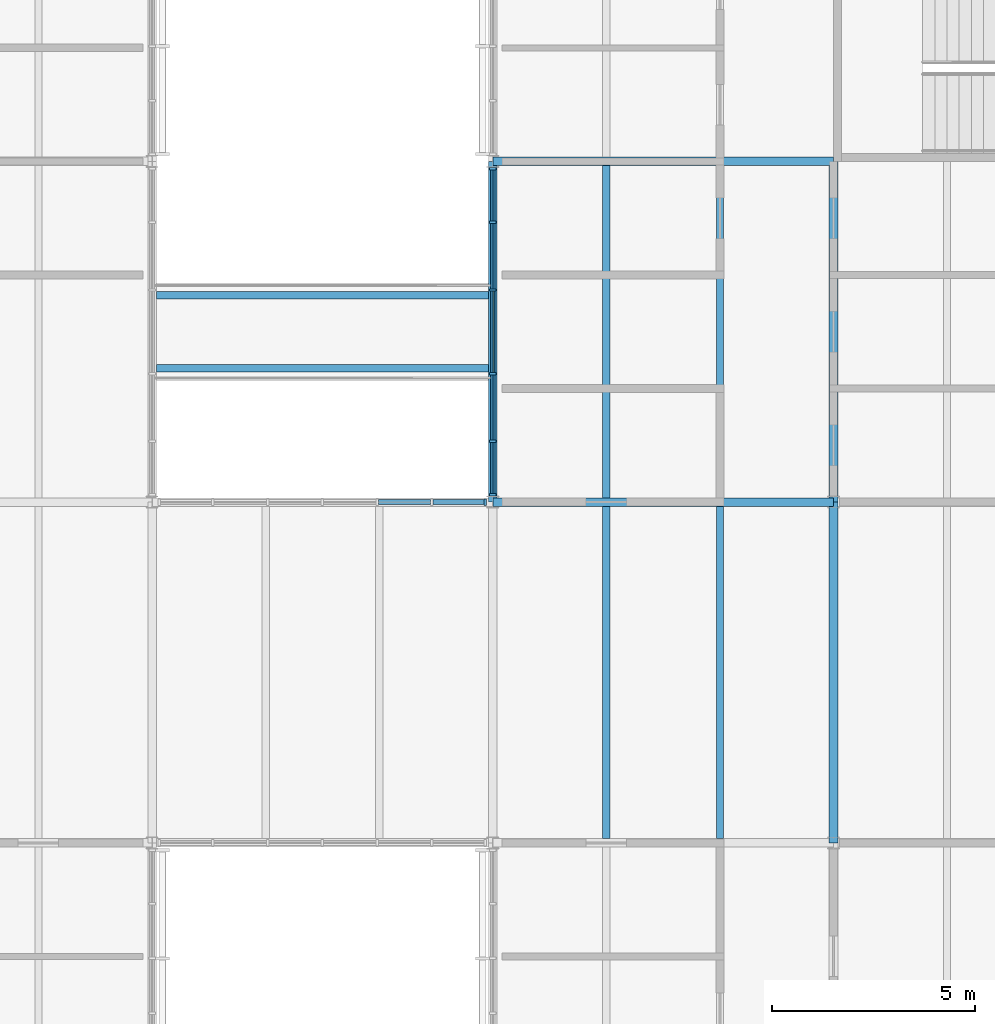
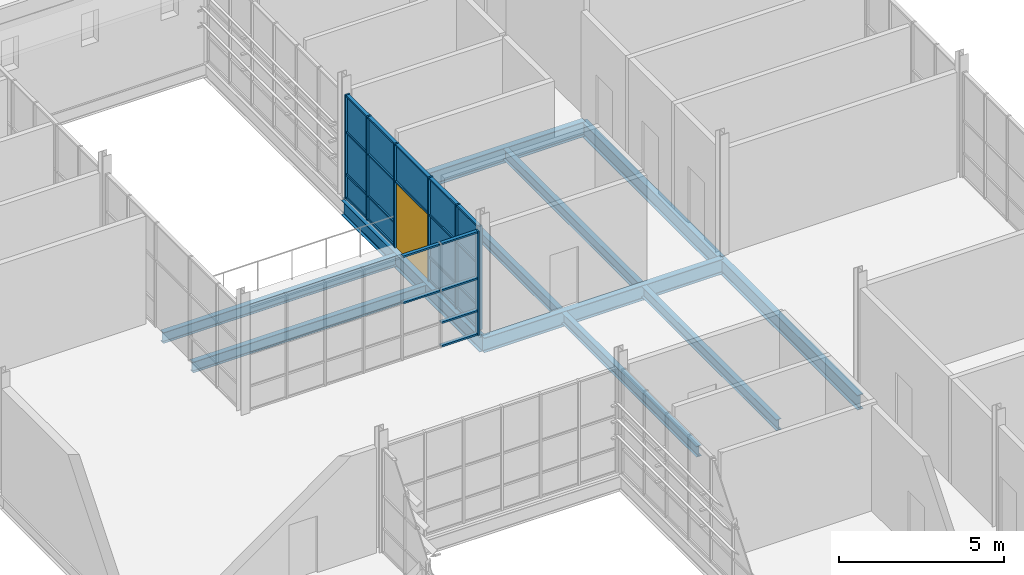
# One storey, part 44 of 129: 31 members, 13 plates, 11 beams, 1 door, 1 opening, 2 elements without a shape of their own.
"""IFC4 building model written with IfcOpenShell, lengths in metres."""

from ifc_helpers import new_model, si_unit, direction, frame, frame_2d, origin, origin_2d, place, context, subcontext, project, spatial, rectangle, i_section, extrude, material, layer, layer_set, material_profile, profile_set, type_object, element, fill, aggregate, save


model = new_model("IFC4")

# Units and contexts
model_context = context("Model", 3, precision=1e-05, world=origin(), true_north=direction((0.0, 1.0)))
body_context = subcontext(model_context, "Body", "Model", "MODEL_VIEW")
ifc_project = project(units=[si_unit("LENGTHUNIT", "METRE"), si_unit("AREAUNIT", "SQUARE_METRE"), si_unit("VOLUMEUNIT", "CUBIC_METRE"), si_unit("PLANEANGLEUNIT", "RADIAN"), si_unit("MASSUNIT", "GRAM", prefix="KILO")], contexts=[model_context])

# Site, building, storey
site_placement = place(None, origin())
site = spatial("IfcSite", under=ifc_project, at=site_placement, CompositionType="ELEMENT")
building_placement = place(site_placement, origin())
building = spatial("IfcBuilding", under=site, at=building_placement, Name="Ardhachandra Cancer Care Centre", CompositionType="ELEMENT")
storey_placement = place(building_placement, frame((0.0, 0.0, 4.5)))
storey = spatial("IfcBuildingStorey", under=building, at=storey_placement, Name="L01", CompositionType="ELEMENT", Elevation=4.5)

# Beams
ifc_material_1 = material(Name="Steel E350 (IS 2062)", Category="steel")
ifc_material_profile_1 = material_profile(ifc_material_1, i_section(OverallWidth=0.179931640625, OverallDepth=0.39990234375, WebThickness=0.008544921875, FlangeThickness=0.013427734375, FilletRadius=0.02099609375, at=origin_2d()), Name="NPB 400x180x66.30")
ifc_profile_set_1 = profile_set([ifc_material_profile_1], Name="Steel E350 (IS 2062)")
beam_type_1 = type_object("IfcBeamType", Name="Beam NPB 400x180x66.30", PredefinedType="BEAM", material=ifc_profile_set_1)
for number, where, z_axis, x_axis, name in (
    (1, (131.199951171875, 54.705078125, -0.35009765625), (0.0, 1.0, 0.0), (-1.0, 0.0, 0.0), "Secondary F15-G15@2800"),
    (2, (131.199951171875, 63.10498046875, -0.35009765625), (0.0, 1.0, 0.0), (-1.0, 0.0, 0.0), "Secondary G15-H15@2800"),
    (3, (134.0, 54.705078125, -0.35009765625), (0.0, 1.0, 0.0), (-1.0, 0.0, 0.0), "Secondary F15-G15@5600"),
    (4, (134.0, 63.10498046875, -0.35009765625), (0.0, 1.0, 0.0), (-1.0, 0.0, 0.0), "Secondary G15-H15@5600"),
):
    element("IfcBeam", number, at=place(storey_placement, frame(where, z_axis=z_axis, x_axis=x_axis)), inside=storey, type_object=beam_type_1, Name=name, PredefinedType="BEAM", context=body_context, shape_type="SweptSolid", body=[
        extrude(i_section(OverallWidth=0.179931640625, OverallDepth=0.39990234375, WebThickness=0.008544921875, FlangeThickness=0.013427734375, FilletRadius=0.02099609375, at=origin_2d()), origin(), (0.0, 0.0, 1.0), 8.18994140625),
    ])
ifc_material_2 = material(Name="Steel E350 (IS 2062)", Category="steel")
ifc_material_profile_2 = material_profile(ifc_material_2, i_section(OverallWidth=0.2099609375, OverallDepth=0.550048828125, WebThickness=0.010986328125, FlangeThickness=0.01708984375, FilletRadius=0.02392578125, at=origin_2d()), Name="NPB 550x210x105.52")
ifc_profile_set_2 = profile_set([ifc_material_profile_2], Name="Steel E350 (IS 2062)")
beam_type_2 = type_object("IfcBeamType", Name="Beam NPB 550x210x105.52", PredefinedType="BEAM", material=ifc_profile_set_2)
for number, where, z_axis, x_axis, name in (
    (5, (128.39990234375, 63.0, -0.425048828125), (1.0, 0.0, 0.0), (0.0, 1.0, 0.0), "Girder G15-G16"),
    (6, (128.39990234375, 71.39990234375, -0.425048828125), (1.0, 0.0, 0.0), (0.0, 1.0, 0.0), "Girder H15-H16"),
):
    element("IfcBeam", number, at=place(storey_placement, frame(where, z_axis=z_axis, x_axis=x_axis)), inside=storey, type_object=beam_type_2, Name=name, PredefinedType="BEAM", context=body_context, shape_type="SweptSolid", body=[
        extrude(i_section(OverallWidth=0.2099609375, OverallDepth=0.550048828125, WebThickness=0.010986328125, FlangeThickness=0.01708984375, FilletRadius=0.02392578125, at=origin_2d()), origin(), (0.0, 0.0, 1.0), 8.400146484375),
    ])
for number, where, z_axis, x_axis, name in (
    (7, (128.39990234375, 63.0, -0.425048828125), (0.0, 1.0, 0.0), (-1.0, 0.0, 0.0), "Girder G15-H15"),
    (8, (136.800048828125, 54.60009765625, -0.425048828125), (0.0, 1.0, 0.0), (-1.0, 0.0, 0.0), "Girder F16-G16"),
    (9, (136.800048828125, 63.0, -0.425048828125), (0.0, 1.0, 0.0), (-1.0, 0.0, 0.0), "Girder G16-H16"),
):
    element("IfcBeam", number, at=place(storey_placement, frame(where, z_axis=z_axis, x_axis=x_axis)), inside=storey, type_object=beam_type_2, Name=name, PredefinedType="BEAM", context=body_context, shape_type="SweptSolid", body=[
        extrude(i_section(OverallWidth=0.2099609375, OverallDepth=0.550048828125, WebThickness=0.010986328125, FlangeThickness=0.01708984375, FilletRadius=0.02392578125, at=origin_2d()), origin(), (0.0, 0.0, 1.0), 8.39990234375),
    ])
ifc_material_3 = material(Name="Steel E350 (IS 2062)", Category="steel")
ifc_material_profile_3 = material_profile(ifc_material_3, i_section(OverallWidth=0.179931640625, OverallDepth=0.39990234375, WebThickness=0.008544921875, FlangeThickness=0.013427734375, FilletRadius=0.02099609375, at=origin_2d()), Name="NPB 400x180x66.30")
ifc_profile_set_3 = profile_set([ifc_material_profile_3], Name="Steel E350 (IS 2062)")
beam_type_3 = type_object("IfcBeamType", Name="Bridge beam NPB 400x180x66.30", PredefinedType="BEAM", material=ifc_profile_set_3)
for number, where, z_axis, x_axis, name in (
    (10, (120.10498046875, 66.300048828125, -0.35009765625), (1.0, 0.0, 0.0), (0.0, 1.0, 0.0), "Bridge beam BR-LC2-L01 south"),
    (11, (120.10498046875, 68.10009765625, -0.35009765625), (1.0, 0.0, 0.0), (0.0, 1.0, 0.0), "Bridge beam BR-LC2-L01 north"),
):
    element("IfcBeam", number, at=place(storey_placement, frame(where, z_axis=z_axis, x_axis=x_axis)), inside=storey, type_object=beam_type_3, Name=name, PredefinedType="BEAM", context=body_context, shape_type="SweptSolid", body=[
        extrude(i_section(OverallWidth=0.179931640625, OverallDepth=0.39990234375, WebThickness=0.008544921875, FlangeThickness=0.013427734375, FilletRadius=0.02099609375, at=origin_2d()), origin(), (0.0, 0.0, 1.0), 8.18994140625),
    ])

# Curtain wall, member
ifc_material_4 = material(Name="Aluminium extrusion", Category="aluminium")
ifc_layer_1 = layer(ifc_material_4, 0.14990234375)
ifc_layer_set_1 = layer_set([ifc_layer_1], Name="Aluminium extrusion")
curtain_wall_type = type_object("IfcCurtainWallType", Name="Curtain wall run", PredefinedType="NOTDEFINED", material=ifc_layer_set_1)
curtain_wall_1_placement = place(storey_placement, origin())
curtain_wall_1 = element("IfcCurtainWall", 12, at=curtain_wall_1_placement, inside=storey, type_object=curtain_wall_type, Name="Curtain wall L01 n/0120000_0063000", PredefinedType="NOTDEFINED")
ifc_material_5 = material(Name="Aluminium extrusion", Category="aluminium")
ifc_material_profile_4 = material_profile(ifc_material_5, rectangle(XDim=0.159912109375, YDim=0.06005859375, at=origin_2d()), Name="Curtain wall mullion 60 x 160")
ifc_profile_set_4 = profile_set([ifc_material_profile_4], Name="Aluminium extrusion")
member_type_1 = type_object("IfcMemberType", Name="Curtain wall mullion 60 x 160", PredefinedType="MULLION", material=ifc_profile_set_4)
member_1_placement = place(storey_placement, frame((128.219970703125, 63.0, 0.0), z_axis=(0.0, 0.0, 1.0), x_axis=(0.0, 1.0, 0.0)))
member_1 = element("IfcMember", 13, at=member_1_placement, type_object=member_type_1, Name="CW mullion 7", PredefinedType="MULLION", context=body_context, shape_type="SweptSolid", body=[
    extrude(rectangle(XDim=0.159912109375, YDim=0.06005859375, at=origin_2d()), origin(), (0.0, 0.0, 1.0), 3.85009765625),
])

# Curtain wall, opening, members
curtain_wall_2_placement = place(storey_placement, frame((128.39990234375, 63.14990234375, 0.0), z_axis=(0.0, 0.0, 1.0), x_axis=(0.0, 1.0, 0.0)))
curtain_wall_2 = element("IfcCurtainWall", 14, at=curtain_wall_2_placement, inside=storey, type_object=curtain_wall_type, Name="Curtain wall L01 w/0128400_0063000", PredefinedType="NOTDEFINED")
opening_placement = place(curtain_wall_2_placement, frame((3.050048828125, 0.0, 0.0)))
opening = element("IfcOpeningElement", 15, at=opening_placement, cuts=curtain_wall_2, Name="Opening BR-LC2-L01-w", PredefinedType="OPENING", context=body_context, shape_type="SweptSolid", body=[
    extrude(rectangle(XDim=2.0, YDim=2.39990234375, at=frame_2d((1.0, 1.199951171875))), frame((0.0, 0.0849609375, 0.0), z_axis=(0.0, -1.0, 0.0), x_axis=(1.0, 0.0, 0.0)), (0.0, 0.0, 1.0), 0.169921875),
])
member_2_placement = place(storey_placement, frame((128.39990234375, 63.179931640625, 0.0), z_axis=(0.0, 0.0, 1.0), x_axis=(-1.0, 0.0, 0.0)))
member_2 = element("IfcMember", 16, at=member_2_placement, type_object=member_type_1, Name="CW mullion 1", PredefinedType="MULLION", context=body_context, shape_type="SweptSolid", body=[
    extrude(rectangle(XDim=0.159912109375, YDim=0.06005859375, at=origin_2d()), origin(), (0.0, 0.0, 1.0), 3.85009765625),
])
member_3_placement = place(storey_placement, frame((128.39990234375, 64.5, 0.0), z_axis=(0.0, 0.0, 1.0), x_axis=(-1.0, 0.0, 0.0)))
member_3 = element("IfcMember", 17, at=member_3_placement, type_object=member_type_1, Name="CW mullion 2", PredefinedType="MULLION", context=body_context, shape_type="SweptSolid", body=[
    extrude(rectangle(XDim=0.159912109375, YDim=0.06005859375, at=origin_2d()), origin(), (0.0, 0.0, 1.0), 3.85009765625),
])
member_4_placement = place(storey_placement, frame((128.39990234375, 66.169921875, 0.0), z_axis=(0.0, 0.0, 1.0), x_axis=(-1.0, 0.0, 0.0)))
member_4 = element("IfcMember", 18, at=member_4_placement, type_object=member_type_1, Name="CW mullion 3", PredefinedType="MULLION", context=body_context, shape_type="SweptSolid", body=[
    extrude(rectangle(XDim=0.159912109375, YDim=0.06005859375, at=origin_2d()), origin(), (0.0, 0.0, 1.0), 3.85009765625),
])
member_5_placement = place(storey_placement, frame((128.39990234375, 68.22998046875, 0.0), z_axis=(0.0, 0.0, 1.0), x_axis=(-1.0, 0.0, 0.0)))
member_5 = element("IfcMember", 19, at=member_5_placement, type_object=member_type_1, Name="CW mullion 4", PredefinedType="MULLION", context=body_context, shape_type="SweptSolid", body=[
    extrude(rectangle(XDim=0.159912109375, YDim=0.06005859375, at=origin_2d()), origin(), (0.0, 0.0, 1.0), 3.85009765625),
])
member_6_placement = place(storey_placement, frame((128.39990234375, 69.89990234375, 0.0), z_axis=(0.0, 0.0, 1.0), x_axis=(-1.0, 0.0, 0.0)))
member_6 = element("IfcMember", 20, at=member_6_placement, type_object=member_type_1, Name="CW mullion 5", PredefinedType="MULLION", context=body_context, shape_type="SweptSolid", body=[
    extrude(rectangle(XDim=0.159912109375, YDim=0.06005859375, at=origin_2d()), origin(), (0.0, 0.0, 1.0), 3.85009765625),
])
member_7_placement = place(storey_placement, frame((128.39990234375, 71.219970703125, 0.0), z_axis=(0.0, 0.0, 1.0), x_axis=(-1.0, 0.0, 0.0)))
member_7 = element("IfcMember", 21, at=member_7_placement, type_object=member_type_1, Name="CW mullion 6", PredefinedType="MULLION", context=body_context, shape_type="SweptSolid", body=[
    extrude(rectangle(XDim=0.159912109375, YDim=0.06005859375, at=origin_2d()), origin(), (0.0, 0.0, 1.0), 3.85009765625),
])

# Member
ifc_material_6 = material(Name="Aluminium extrusion", Category="aluminium")
ifc_material_profile_5 = material_profile(ifc_material_6, rectangle(XDim=0.1201171875, YDim=0.06005859375, at=origin_2d()), Name="Curtain wall transom 60 x 120")
ifc_profile_set_5 = profile_set([ifc_material_profile_5], Name="Aluminium extrusion")
member_type_2 = type_object("IfcMemberType", Name="Curtain wall transom 60 x 120", PredefinedType="USERDEFINED", material=ifc_profile_set_5)
member_8_placement = place(storey_placement, frame((125.580078125, 63.0, 2.10009765625), z_axis=(1.0, 0.0, 0.0), x_axis=(0.0, 1.0, 0.0)))
member_8 = element("IfcMember", 22, at=member_8_placement, type_object=member_type_2, Name="CW transom 5.3", ObjectType="TRANSOM", PredefinedType="USERDEFINED", context=body_context, shape_type="SweptSolid", body=[
    extrude(rectangle(XDim=0.1201171875, YDim=0.06005859375, at=origin_2d()), origin(), (0.0, 0.0, 1.0), 1.2900390625),
])

member_9_placement = place(storey_placement, frame((125.580078125, 63.0, 3.820068359375), z_axis=(1.0, 0.0, 0.0), x_axis=(0.0, 1.0, 0.0)))
member_9 = element("IfcMember", 23, at=member_9_placement, type_object=member_type_2, Name="CW transom 5.4", ObjectType="TRANSOM", PredefinedType="USERDEFINED", context=body_context, shape_type="SweptSolid", body=[
    extrude(rectangle(XDim=0.1201171875, YDim=0.06005859375, at=origin_2d()), origin(), (0.0, 0.0, 1.0), 1.2900390625),
])

member_10_placement = place(storey_placement, frame((126.929931640625, 63.0, 0.030029296875), z_axis=(1.0, 0.0, 0.0), x_axis=(0.0, 1.0, 0.0)))
member_10 = element("IfcMember", 24, at=member_10_placement, type_object=member_type_2, Name="CW transom 6.1", ObjectType="TRANSOM", PredefinedType="USERDEFINED", context=body_context, shape_type="SweptSolid", body=[
    extrude(rectangle(XDim=0.1201171875, YDim=0.06005859375, at=origin_2d()), origin(), (0.0, 0.0, 1.0), 1.260009765625),
])

member_11_placement = place(storey_placement, frame((126.929931640625, 63.0, 0.89990234375), z_axis=(1.0, 0.0, 0.0), x_axis=(0.0, 1.0, 0.0)))
member_11 = element("IfcMember", 25, at=member_11_placement, type_object=member_type_2, Name="CW transom 6.2", ObjectType="TRANSOM", PredefinedType="USERDEFINED", context=body_context, shape_type="SweptSolid", body=[
    extrude(rectangle(XDim=0.1201171875, YDim=0.06005859375, at=origin_2d()), origin(), (0.0, 0.0, 1.0), 1.260009765625),
])

member_12_placement = place(storey_placement, frame((126.929931640625, 63.0, 2.10009765625), z_axis=(1.0, 0.0, 0.0), x_axis=(0.0, 1.0, 0.0)))
member_12 = element("IfcMember", 26, at=member_12_placement, type_object=member_type_2, Name="CW transom 6.3", ObjectType="TRANSOM", PredefinedType="USERDEFINED", context=body_context, shape_type="SweptSolid", body=[
    extrude(rectangle(XDim=0.1201171875, YDim=0.06005859375, at=origin_2d()), origin(), (0.0, 0.0, 1.0), 1.260009765625),
])

member_13_placement = place(storey_placement, frame((126.929931640625, 63.0, 3.820068359375), z_axis=(1.0, 0.0, 0.0), x_axis=(0.0, 1.0, 0.0)))
member_13 = element("IfcMember", 27, at=member_13_placement, type_object=member_type_2, Name="CW transom 6.4", ObjectType="TRANSOM", PredefinedType="USERDEFINED", context=body_context, shape_type="SweptSolid", body=[
    extrude(rectangle(XDim=0.1201171875, YDim=0.06005859375, at=origin_2d()), origin(), (0.0, 0.0, 1.0), 1.260009765625),
])

aggregate(curtain_wall_1, [member_1, member_8, member_9, member_10, member_11, member_12, member_13])

member_14_placement = place(storey_placement, frame((128.39990234375, 63.2099609375, 0.030029296875), z_axis=(0.0, 1.0, 0.0), x_axis=(-1.0, 0.0, 0.0)))
member_14 = element("IfcMember", 28, at=member_14_placement, type_object=member_type_2, Name="CW transom 1.1", ObjectType="TRANSOM", PredefinedType="USERDEFINED", context=body_context, shape_type="SweptSolid", body=[
    extrude(rectangle(XDim=0.1201171875, YDim=0.06005859375, at=origin_2d()), origin(), (0.0, 0.0, 1.0), 1.260009765625),
])

member_15_placement = place(storey_placement, frame((128.39990234375, 63.2099609375, 0.89990234375), z_axis=(0.0, 1.0, 0.0), x_axis=(-1.0, 0.0, 0.0)))
member_15 = element("IfcMember", 29, at=member_15_placement, type_object=member_type_2, Name="CW transom 1.2", ObjectType="TRANSOM", PredefinedType="USERDEFINED", context=body_context, shape_type="SweptSolid", body=[
    extrude(rectangle(XDim=0.1201171875, YDim=0.06005859375, at=origin_2d()), origin(), (0.0, 0.0, 1.0), 1.260009765625),
])

member_16_placement = place(storey_placement, frame((128.39990234375, 63.2099609375, 2.4599609375), z_axis=(0.0, 1.0, 0.0), x_axis=(-1.0, 0.0, 0.0)))
member_16 = element("IfcMember", 30, at=member_16_placement, type_object=member_type_2, Name="CW transom 1.3", ObjectType="TRANSOM", PredefinedType="USERDEFINED", context=body_context, shape_type="SweptSolid", body=[
    extrude(rectangle(XDim=0.1201171875, YDim=0.06005859375, at=origin_2d()), origin(), (0.0, 0.0, 1.0), 1.260009765625),
])

member_17_placement = place(storey_placement, frame((128.39990234375, 63.2099609375, 3.820068359375), z_axis=(0.0, 1.0, 0.0), x_axis=(-1.0, 0.0, 0.0)))
member_17 = element("IfcMember", 31, at=member_17_placement, type_object=member_type_2, Name="CW transom 1.4", ObjectType="TRANSOM", PredefinedType="USERDEFINED", context=body_context, shape_type="SweptSolid", body=[
    extrude(rectangle(XDim=0.1201171875, YDim=0.06005859375, at=origin_2d()), origin(), (0.0, 0.0, 1.0), 1.260009765625),
])

member_18_placement = place(storey_placement, frame((128.39990234375, 64.530029296875, 0.030029296875), z_axis=(0.0, 1.0, 0.0), x_axis=(-1.0, 0.0, 0.0)))
member_18 = element("IfcMember", 32, at=member_18_placement, type_object=member_type_2, Name="CW transom 2.1", ObjectType="TRANSOM", PredefinedType="USERDEFINED", context=body_context, shape_type="SweptSolid", body=[
    extrude(rectangle(XDim=0.1201171875, YDim=0.06005859375, at=origin_2d()), origin(), (0.0, 0.0, 1.0), 1.60986328125),
])

member_19_placement = place(storey_placement, frame((128.39990234375, 64.530029296875, 0.89990234375), z_axis=(0.0, 1.0, 0.0), x_axis=(-1.0, 0.0, 0.0)))
member_19 = element("IfcMember", 33, at=member_19_placement, type_object=member_type_2, Name="CW transom 2.2", ObjectType="TRANSOM", PredefinedType="USERDEFINED", context=body_context, shape_type="SweptSolid", body=[
    extrude(rectangle(XDim=0.1201171875, YDim=0.06005859375, at=origin_2d()), origin(), (0.0, 0.0, 1.0), 1.60986328125),
])

member_20_placement = place(storey_placement, frame((128.39990234375, 64.530029296875, 2.4599609375), z_axis=(0.0, 1.0, 0.0), x_axis=(-1.0, 0.0, 0.0)))
member_20 = element("IfcMember", 34, at=member_20_placement, type_object=member_type_2, Name="CW transom 2.3", ObjectType="TRANSOM", PredefinedType="USERDEFINED", context=body_context, shape_type="SweptSolid", body=[
    extrude(rectangle(XDim=0.1201171875, YDim=0.06005859375, at=origin_2d()), origin(), (0.0, 0.0, 1.0), 1.60986328125),
])

member_21_placement = place(storey_placement, frame((128.39990234375, 64.530029296875, 3.820068359375), z_axis=(0.0, 1.0, 0.0), x_axis=(-1.0, 0.0, 0.0)))
member_21 = element("IfcMember", 35, at=member_21_placement, type_object=member_type_2, Name="CW transom 2.4", ObjectType="TRANSOM", PredefinedType="USERDEFINED", context=body_context, shape_type="SweptSolid", body=[
    extrude(rectangle(XDim=0.1201171875, YDim=0.06005859375, at=origin_2d()), origin(), (0.0, 0.0, 1.0), 1.60986328125),
])

member_22_placement = place(storey_placement, frame((128.39990234375, 66.199951171875, 2.4599609375), z_axis=(0.0, 1.0, 0.0), x_axis=(-1.0, 0.0, 0.0)))
member_22 = element("IfcMember", 36, at=member_22_placement, type_object=member_type_2, Name="CW transom 3.1", ObjectType="TRANSOM", PredefinedType="USERDEFINED", context=body_context, shape_type="SweptSolid", body=[
    extrude(rectangle(XDim=0.1201171875, YDim=0.06005859375, at=origin_2d()), origin(), (0.0, 0.0, 1.0), 2.0),
])

member_23_placement = place(storey_placement, frame((128.39990234375, 66.199951171875, 3.820068359375), z_axis=(0.0, 1.0, 0.0), x_axis=(-1.0, 0.0, 0.0)))
member_23 = element("IfcMember", 37, at=member_23_placement, type_object=member_type_2, Name="CW transom 3.2", ObjectType="TRANSOM", PredefinedType="USERDEFINED", context=body_context, shape_type="SweptSolid", body=[
    extrude(rectangle(XDim=0.1201171875, YDim=0.06005859375, at=origin_2d()), origin(), (0.0, 0.0, 1.0), 2.0),
])

member_24_placement = place(storey_placement, frame((128.39990234375, 68.260009765625, 0.030029296875), z_axis=(0.0, 1.0, 0.0), x_axis=(-1.0, 0.0, 0.0)))
member_24 = element("IfcMember", 38, at=member_24_placement, type_object=member_type_2, Name="CW transom 4.1", ObjectType="TRANSOM", PredefinedType="USERDEFINED", context=body_context, shape_type="SweptSolid", body=[
    extrude(rectangle(XDim=0.1201171875, YDim=0.06005859375, at=origin_2d()), origin(), (0.0, 0.0, 1.0), 1.610107421875),
])

member_25_placement = place(storey_placement, frame((128.39990234375, 68.260009765625, 0.89990234375), z_axis=(0.0, 1.0, 0.0), x_axis=(-1.0, 0.0, 0.0)))
member_25 = element("IfcMember", 39, at=member_25_placement, type_object=member_type_2, Name="CW transom 4.2", ObjectType="TRANSOM", PredefinedType="USERDEFINED", context=body_context, shape_type="SweptSolid", body=[
    extrude(rectangle(XDim=0.1201171875, YDim=0.06005859375, at=origin_2d()), origin(), (0.0, 0.0, 1.0), 1.610107421875),
])

member_26_placement = place(storey_placement, frame((128.39990234375, 68.260009765625, 2.4599609375), z_axis=(0.0, 1.0, 0.0), x_axis=(-1.0, 0.0, 0.0)))
member_26 = element("IfcMember", 40, at=member_26_placement, type_object=member_type_2, Name="CW transom 4.3", ObjectType="TRANSOM", PredefinedType="USERDEFINED", context=body_context, shape_type="SweptSolid", body=[
    extrude(rectangle(XDim=0.1201171875, YDim=0.06005859375, at=origin_2d()), origin(), (0.0, 0.0, 1.0), 1.610107421875),
])

member_27_placement = place(storey_placement, frame((128.39990234375, 68.260009765625, 3.820068359375), z_axis=(0.0, 1.0, 0.0), x_axis=(-1.0, 0.0, 0.0)))
member_27 = element("IfcMember", 41, at=member_27_placement, type_object=member_type_2, Name="CW transom 4.4", ObjectType="TRANSOM", PredefinedType="USERDEFINED", context=body_context, shape_type="SweptSolid", body=[
    extrude(rectangle(XDim=0.1201171875, YDim=0.06005859375, at=origin_2d()), origin(), (0.0, 0.0, 1.0), 1.610107421875),
])

member_28_placement = place(storey_placement, frame((128.39990234375, 69.929931640625, 0.030029296875), z_axis=(0.0, 1.0, 0.0), x_axis=(-1.0, 0.0, 0.0)))
member_28 = element("IfcMember", 42, at=member_28_placement, type_object=member_type_2, Name="CW transom 5.1", ObjectType="TRANSOM", PredefinedType="USERDEFINED", context=body_context, shape_type="SweptSolid", body=[
    extrude(rectangle(XDim=0.1201171875, YDim=0.06005859375, at=origin_2d()), origin(), (0.0, 0.0, 1.0), 1.260009765625),
])

member_29_placement = place(storey_placement, frame((128.39990234375, 69.929931640625, 0.89990234375), z_axis=(0.0, 1.0, 0.0), x_axis=(-1.0, 0.0, 0.0)))
member_29 = element("IfcMember", 43, at=member_29_placement, type_object=member_type_2, Name="CW transom 5.2", ObjectType="TRANSOM", PredefinedType="USERDEFINED", context=body_context, shape_type="SweptSolid", body=[
    extrude(rectangle(XDim=0.1201171875, YDim=0.06005859375, at=origin_2d()), origin(), (0.0, 0.0, 1.0), 1.260009765625),
])

member_30_placement = place(storey_placement, frame((128.39990234375, 69.929931640625, 2.4599609375), z_axis=(0.0, 1.0, 0.0), x_axis=(-1.0, 0.0, 0.0)))
member_30 = element("IfcMember", 44, at=member_30_placement, type_object=member_type_2, Name="CW transom 5.3", ObjectType="TRANSOM", PredefinedType="USERDEFINED", context=body_context, shape_type="SweptSolid", body=[
    extrude(rectangle(XDim=0.1201171875, YDim=0.06005859375, at=origin_2d()), origin(), (0.0, 0.0, 1.0), 1.260009765625),
])

member_31_placement = place(storey_placement, frame((128.39990234375, 69.929931640625, 3.820068359375), z_axis=(0.0, 1.0, 0.0), x_axis=(-1.0, 0.0, 0.0)))
member_31 = element("IfcMember", 45, at=member_31_placement, type_object=member_type_2, Name="CW transom 5.4", ObjectType="TRANSOM", PredefinedType="USERDEFINED", context=body_context, shape_type="SweptSolid", body=[
    extrude(rectangle(XDim=0.1201171875, YDim=0.06005859375, at=origin_2d()), origin(), (0.0, 0.0, 1.0), 1.260009765625),
])

# Plate
ifc_material_7 = material(Name="Low-iron double-glazed unit")
ifc_layer_2 = layer(ifc_material_7, 0.028076171875)
ifc_layer_set_2 = layer_set([ifc_layer_2], Name="Low-iron double-glazed unit")
plate_type_1 = type_object("IfcPlateType", Name="Curtain wall glazing 28", PredefinedType="CURTAIN_PANEL", material=ifc_layer_set_2)
plate_1_placement = place(storey_placement, frame((128.39990234375, 63.840087890625, 0.929931640625), z_axis=(0.0, 0.0, 1.0), x_axis=(0.0, 1.0, 0.0)))
plate_1 = element("IfcPlate", 46, at=plate_1_placement, type_object=plate_type_1, Name="CW panel 1.2", PredefinedType="CURTAIN_PANEL", context=body_context, shape_type="SweptSolid", body=[
    extrude(rectangle(XDim=1.260009765625, YDim=0.028076171875, at=origin_2d()), origin(), (0.0, 0.0, 1.0), 1.5),
])

plate_2_placement = place(storey_placement, frame((128.39990234375, 63.840087890625, 2.48974609375), z_axis=(0.0, 0.0, 1.0), x_axis=(0.0, 1.0, 0.0)))
plate_2 = element("IfcPlate", 47, at=plate_2_placement, type_object=plate_type_1, Name="CW panel 1.3", PredefinedType="CURTAIN_PANEL", context=body_context, shape_type="SweptSolid", body=[
    extrude(rectangle(XDim=1.260009765625, YDim=0.028076171875, at=origin_2d()), origin(), (0.0, 0.0, 1.0), 1.300048828125),
])

plate_3_placement = place(storey_placement, frame((128.39990234375, 65.3349609375, 0.929931640625), z_axis=(0.0, 0.0, 1.0), x_axis=(0.0, 1.0, 0.0)))
plate_3 = element("IfcPlate", 48, at=plate_3_placement, type_object=plate_type_1, Name="CW panel 2.2", PredefinedType="CURTAIN_PANEL", context=body_context, shape_type="SweptSolid", body=[
    extrude(rectangle(XDim=1.610107421875, YDim=0.028076171875, at=origin_2d()), origin(), (0.0, 0.0, 1.0), 1.5),
])

plate_4_placement = place(storey_placement, frame((128.39990234375, 65.3349609375, 2.48974609375), z_axis=(0.0, 0.0, 1.0), x_axis=(0.0, 1.0, 0.0)))
plate_4 = element("IfcPlate", 49, at=plate_4_placement, type_object=plate_type_1, Name="CW panel 2.3", PredefinedType="CURTAIN_PANEL", context=body_context, shape_type="SweptSolid", body=[
    extrude(rectangle(XDim=1.610107421875, YDim=0.028076171875, at=origin_2d()), origin(), (0.0, 0.0, 1.0), 1.300048828125),
])

plate_5_placement = place(storey_placement, frame((128.39990234375, 67.199951171875, 2.48974609375), z_axis=(0.0, 0.0, 1.0), x_axis=(0.0, 1.0, 0.0)))
plate_5 = element("IfcPlate", 50, at=plate_5_placement, type_object=plate_type_1, Name="CW panel 3.1", PredefinedType="CURTAIN_PANEL", context=body_context, shape_type="SweptSolid", body=[
    extrude(rectangle(XDim=2.0, YDim=0.028076171875, at=origin_2d()), origin(), (0.0, 0.0, 1.0), 1.300048828125),
])

plate_6_placement = place(storey_placement, frame((128.39990234375, 69.06494140625, 0.929931640625), z_axis=(0.0, 0.0, 1.0), x_axis=(0.0, 1.0, 0.0)))
plate_6 = element("IfcPlate", 51, at=plate_6_placement, type_object=plate_type_1, Name="CW panel 4.2", PredefinedType="CURTAIN_PANEL", context=body_context, shape_type="SweptSolid", body=[
    extrude(rectangle(XDim=1.610107421875, YDim=0.028076171875, at=origin_2d()), origin(), (0.0, 0.0, 1.0), 1.5),
])

plate_7_placement = place(storey_placement, frame((128.39990234375, 69.06494140625, 2.48974609375), z_axis=(0.0, 0.0, 1.0), x_axis=(0.0, 1.0, 0.0)))
plate_7 = element("IfcPlate", 52, at=plate_7_placement, type_object=plate_type_1, Name="CW panel 4.3", PredefinedType="CURTAIN_PANEL", context=body_context, shape_type="SweptSolid", body=[
    extrude(rectangle(XDim=1.610107421875, YDim=0.028076171875, at=origin_2d()), origin(), (0.0, 0.0, 1.0), 1.300048828125),
])

plate_8_placement = place(storey_placement, frame((128.39990234375, 70.56005859375, 0.929931640625), z_axis=(0.0, 0.0, 1.0), x_axis=(0.0, 1.0, 0.0)))
plate_8 = element("IfcPlate", 53, at=plate_8_placement, type_object=plate_type_1, Name="CW panel 5.2", PredefinedType="CURTAIN_PANEL", context=body_context, shape_type="SweptSolid", body=[
    extrude(rectangle(XDim=1.260009765625, YDim=0.028076171875, at=origin_2d()), origin(), (0.0, 0.0, 1.0), 1.5),
])

plate_9_placement = place(storey_placement, frame((128.39990234375, 70.56005859375, 2.48974609375), z_axis=(0.0, 0.0, 1.0), x_axis=(0.0, 1.0, 0.0)))
plate_9 = element("IfcPlate", 54, at=plate_9_placement, type_object=plate_type_1, Name="CW panel 5.3", PredefinedType="CURTAIN_PANEL", context=body_context, shape_type="SweptSolid", body=[
    extrude(rectangle(XDim=1.260009765625, YDim=0.028076171875, at=origin_2d()), origin(), (0.0, 0.0, 1.0), 1.300048828125),
])

ifc_material_8 = material(Name="Aluminium composite spandrel panel", Category="aluminium")
ifc_layer_3 = layer(ifc_material_8, 0.028076171875)
ifc_layer_set_3 = layer_set([ifc_layer_3], Name="Aluminium composite spandrel panel")
plate_type_2 = type_object("IfcPlateType", Name="Curtain wall spandrel panel 28", PredefinedType="CURTAIN_PANEL", material=ifc_layer_set_3)
plate_10_placement = place(storey_placement, frame((128.39990234375, 63.840087890625, 0.06005859375), z_axis=(0.0, 0.0, 1.0), x_axis=(0.0, 1.0, 0.0)))
plate_10 = element("IfcPlate", 55, at=plate_10_placement, type_object=plate_type_2, Name="CW panel 1.1", PredefinedType="CURTAIN_PANEL", context=body_context, shape_type="SweptSolid", body=[
    extrude(rectangle(XDim=1.260009765625, YDim=0.028076171875, at=origin_2d()), origin(), (0.0, 0.0, 1.0), 0.81005859375),
])

plate_11_placement = place(storey_placement, frame((128.39990234375, 65.3349609375, 0.06005859375), z_axis=(0.0, 0.0, 1.0), x_axis=(0.0, 1.0, 0.0)))
plate_11 = element("IfcPlate", 56, at=plate_11_placement, type_object=plate_type_2, Name="CW panel 2.1", PredefinedType="CURTAIN_PANEL", context=body_context, shape_type="SweptSolid", body=[
    extrude(rectangle(XDim=1.610107421875, YDim=0.028076171875, at=origin_2d()), origin(), (0.0, 0.0, 1.0), 0.81005859375),
])

plate_12_placement = place(storey_placement, frame((128.39990234375, 69.06494140625, 0.06005859375), z_axis=(0.0, 0.0, 1.0), x_axis=(0.0, 1.0, 0.0)))
plate_12 = element("IfcPlate", 57, at=plate_12_placement, type_object=plate_type_2, Name="CW panel 4.1", PredefinedType="CURTAIN_PANEL", context=body_context, shape_type="SweptSolid", body=[
    extrude(rectangle(XDim=1.610107421875, YDim=0.028076171875, at=origin_2d()), origin(), (0.0, 0.0, 1.0), 0.81005859375),
])

plate_13_placement = place(storey_placement, frame((128.39990234375, 70.56005859375, 0.06005859375), z_axis=(0.0, 0.0, 1.0), x_axis=(0.0, 1.0, 0.0)))
plate_13 = element("IfcPlate", 58, at=plate_13_placement, type_object=plate_type_2, Name="CW panel 5.1", PredefinedType="CURTAIN_PANEL", context=body_context, shape_type="SweptSolid", body=[
    extrude(rectangle(XDim=1.260009765625, YDim=0.028076171875, at=origin_2d()), origin(), (0.0, 0.0, 1.0), 0.81005859375),
])

aggregate(curtain_wall_2, [member_2, member_3, member_4, member_5, member_6, member_7, member_14, member_15, member_16, member_17, plate_10, plate_1, plate_2, member_18, member_19, member_20, member_21, plate_11, plate_3, plate_4, member_22, member_23, plate_5, member_24, member_25, member_26, member_27, plate_12, plate_6, plate_7, member_28, member_29, member_30, member_31, plate_13, plate_8, plate_9])

# Door
ifc_material_9 = material(Name="Aluminium frame with toughened glass", Category="aluminium")
door_type = type_object("IfcDoorType", Name="Court door pair 2000 x 2400", OperationType="DOUBLE_DOOR_SINGLE_SWING", PredefinedType="DOOR", material=ifc_material_9)
door_placement = place(opening_placement, origin())
door = element("IfcDoor", 59, at=door_placement, inside=storey, type_object=door_type, Name="Link Bridge Door BR-LC2-L01-w", OperationType="SINGLE_SWING_LEFT", OverallHeight=2.39990234375, OverallWidth=2.0, PredefinedType="DOOR", context=body_context, shape_type="SweptSolid", body=[
    extrude(rectangle(XDim=2.0, YDim=2.39990234375, at=frame_2d((1.0, 1.199951171875))), frame((0.0, 0.02490234375, 0.0), z_axis=(0.0, -1.0, 0.0), x_axis=(1.0, 0.0, 0.0)), (0.0, 0.0, 1.0), 0.050048828125),
])

fill(opening, door)

save(model, "model.ifc")
